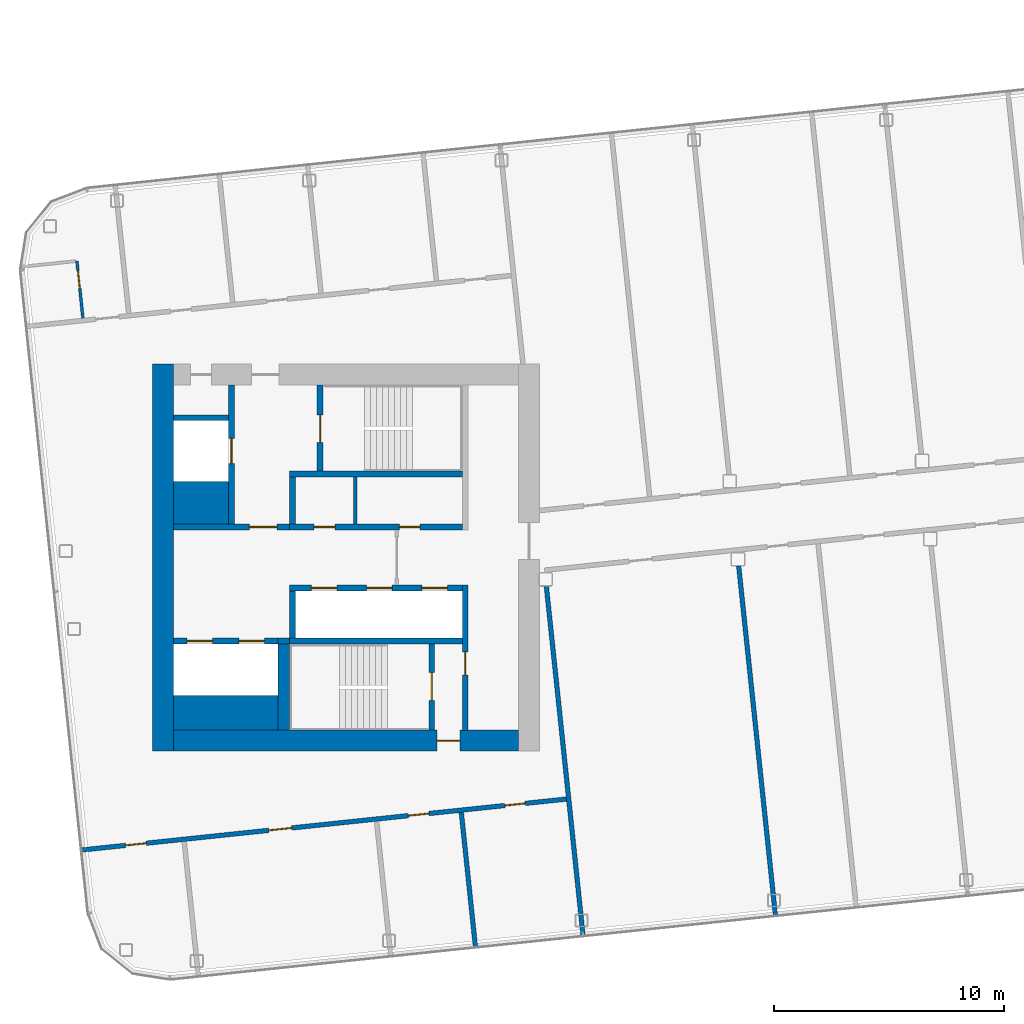
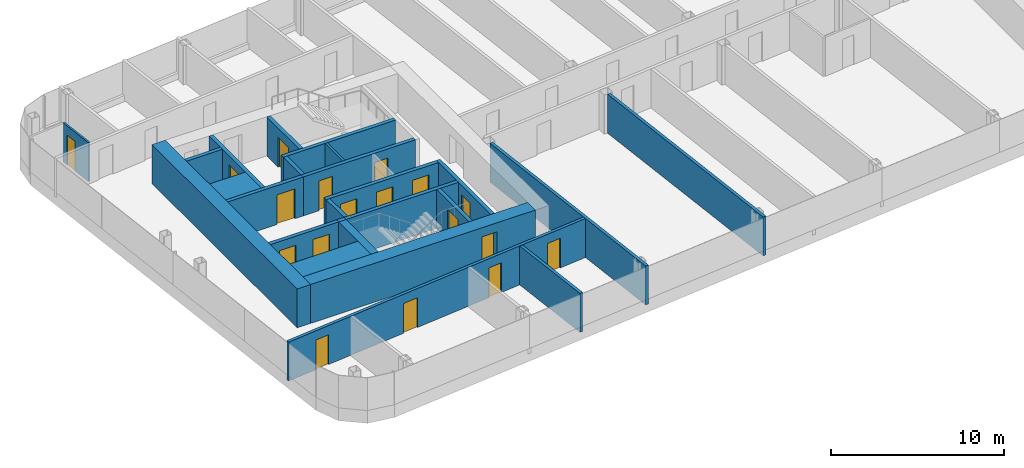
# One storey, part 14 of 26: 25 walls, 18 doors, 18 openings.
"""IFC4 building model written with IfcOpenShell, lengths in metres."""

from ifc_helpers import new_model, si_unit, direction, frame, frame_2d, origin, place, context, subcontext, project, spatial, rectangle, extrude, material, layer, layer_set, type_object, element, fill, save


model = new_model("IFC4")

# Units and contexts
model_context = context("Model", 3, precision=1e-05, world=origin(), true_north=direction((0.0, 1.0)))
body_context = subcontext(model_context, "Body", "Model", "MODEL_VIEW")
ifc_project = project(units=[si_unit("LENGTHUNIT", "METRE"), si_unit("AREAUNIT", "SQUARE_METRE"), si_unit("VOLUMEUNIT", "CUBIC_METRE"), si_unit("PLANEANGLEUNIT", "RADIAN"), si_unit("MASSUNIT", "GRAM", prefix="KILO")], contexts=[model_context])

# Site, building, storey
site_placement = place(None, origin())
site = spatial("IfcSite", under=ifc_project, at=site_placement, CompositionType="ELEMENT")
building_placement = place(site_placement, origin())
building = spatial("IfcBuilding", under=site, at=building_placement, Name="Hakoniwa Tower and Hamabe Station Hall", CompositionType="ELEMENT")
storey_placement = place(building_placement, frame((0.0, 0.0, 251.800048828125)))
storey = spatial("IfcBuildingStorey", under=building, at=storey_placement, Name="L71", CompositionType="ELEMENT", Elevation=251.800048828125)

# Wall, opening, door
ifc_material_1 = material(Name="Gypsum board partition", Category="gypsum")
ifc_layer_1 = layer(ifc_material_1, 0.125)
ifc_layer_set_1 = layer_set([ifc_layer_1], Name="Bathroom Partition 125")
wall_type_1 = type_object("IfcWallType", Name="Bathroom Partition 125", PredefinedType="PARTITIONING", material=ifc_layer_set_1)
wall_1_placement = place(storey_placement, frame((-36.625732421875, 10.39453125, 0.0), z_axis=(0.0, 0.0, 1.0), x_axis=(-0.104588199498, 0.994515615024, 0.0)))
wall_1 = element("IfcWall", 1, at=wall_1_placement, inside=storey, type_object=wall_type_1, Name="GW-L71-010", PredefinedType="PARTITIONING", context=body_context, shape_type="SweptSolid", body=[
    extrude(rectangle(XDim=2.5, YDim=0.125, at=frame_2d((1.25, 0.0))), origin(), (0.0, 0.0, 1.0), 2.75),
])
opening_1_placement = place(wall_1_placement, frame((1.300048828125, 0.0, 0.0)))
opening_1 = element("IfcOpeningElement", 2, at=opening_1_placement, cuts=wall_1, Name="Opening GD-G5A1-28", PredefinedType="OPENING", context=body_context, shape_type="SweptSolid", body=[
    extrude(rectangle(XDim=0.800048828125, YDim=2.10009765625, at=frame_2d((0.39990234375, 1.050048828125))), frame((0.0, 0.072509765625, 0.0), z_axis=(0.0, -1.0, 0.0), x_axis=(1.0, 0.0, 0.0)), (0.0, 0.0, 1.0), 0.14501953125),
])
ifc_material_2 = material(Name="Timber door leaf", Category="wood")
door_type_1 = type_object("IfcDoorType", Name="Bathroom Door 800", OperationType="SINGLE_SWING_LEFT", PredefinedType="DOOR", material=ifc_material_2)
door_1_placement = place(opening_1_placement, origin())
door_1 = element("IfcDoor", 3, at=door_1_placement, inside=storey, type_object=door_type_1, Name="Door GD-G5A1-28", OperationType="SINGLE_SWING_LEFT", OverallHeight=2.10009765625, OverallWidth=0.800048828125, PredefinedType="DOOR", context=body_context, shape_type="SweptSolid", body=[
    extrude(rectangle(XDim=0.800048828125, YDim=2.10009765625, at=frame_2d((0.39990234375, 1.050048828125))), frame((0.0, 0.02490234375, 0.0), z_axis=(0.0, -1.0, 0.0), x_axis=(1.0, 0.0, 0.0)), (0.0, 0.0, 1.0), 0.050048828125),
])
fill(opening_1, door_1)

# Walls
ifc_material_3 = material(Name="Gypsum board partition")
ifc_layer_2 = layer(ifc_material_3, 0.14990234375)
ifc_layer_set_2 = layer_set([ifc_layer_2], Name="CORE PARTITION 150 EI 60")
wall_type_2 = type_object("IfcWallType", Name="CORE PARTITION 150 EI 60", PredefinedType="PARTITIONING", material=ifc_layer_set_2)
wall_2_placement = place(storey_placement, frame((-24.800048828125, 1.449951171875, 0.0), z_axis=(0.0, 0.0, 1.0), x_axis=(0.0, 1.0, 0.0)))
element("IfcWall", 4, at=wall_2_placement, inside=storey, type_object=wall_type_2, Name="Core partition PFLR0 west", PredefinedType="PARTITIONING", context=body_context, shape_type="SweptSolid", body=[
    extrude(rectangle(XDim=2.050048828125, YDim=0.14990234375, at=frame_2d((1.02490234375, 0.0))), origin(), (0.0, 0.0, 1.0), 2.75),
])
ifc_material_4 = material(Name="Concrete C60", Category="concrete")
ifc_layer_3 = layer(ifc_material_4, 0.89990234375)
ifc_layer_set_3 = layer_set([ifc_layer_3], Name="CORE WALL 900 C60")
wall_type_3 = type_object("IfcWallType", Name="CORE WALL 900 C60", PredefinedType="SHEAR", material=ifc_layer_set_3)
wall_3_placement = place(storey_placement, frame((-33.14990234375, -8.39990234375, 0.0), z_axis=(0.0, 0.0, 1.0), x_axis=(0.0, 1.0, 0.0)))
element("IfcWall", 5, at=wall_3_placement, inside=storey, type_object=wall_type_3, Name="Core wall OUTER west", PredefinedType="SHEAR", context=body_context, shape_type="SweptSolid", body=[
    extrude(rectangle(XDim=16.7998046875, YDim=0.89990234375, at=frame_2d((8.39990234375, 0.0))), origin(), (0.0, 0.0, 1.0), 2.75),
])

# Wall, opening, door
wall_4_placement = place(storey_placement, frame((-32.699951171875, -7.949951171875, 0.0), z_axis=(0.0, 0.0, 1.0), x_axis=(1.0, 0.0, 0.0)))
wall_4 = element("IfcWall", 6, at=wall_4_placement, inside=storey, type_object=wall_type_3, Name="Core wall SOUTH west", PredefinedType="SHEAR", context=body_context, shape_type="SweptSolid", body=[
    extrude(rectangle(XDim=15.0, YDim=0.89990234375, at=frame_2d((7.5, 0.0))), origin(), (0.0, 0.0, 1.0), 2.75),
])
opening_2_placement = place(wall_4_placement, frame((11.449951171875, 0.0, 0.0)))
opening_2 = element("IfcOpeningElement", 7, at=opening_2_placement, cuts=wall_4, Name="Opening CD-W-FS3-10", PredefinedType="OPENING", context=body_context, shape_type="SweptSolid", body=[
    extrude(rectangle(XDim=1.0, YDim=2.10009765625, at=frame_2d((0.5, 1.050048828125))), frame((0.0, 0.4599609375, 0.0), z_axis=(0.0, -1.0, 0.0), x_axis=(1.0, 0.0, 0.0)), (0.0, 0.0, 1.0), 0.919921875),
])
ifc_material_5 = material(Name="Steel fire door", Category="steel")
door_type_2 = type_object("IfcDoorType", Name="CORE DOOR 1000 FD60", OperationType="NOTDEFINED", PredefinedType="DOOR", material=ifc_material_5)
door_2_placement = place(opening_2_placement, origin())
door_2 = element("IfcDoor", 8, at=door_2_placement, inside=storey, type_object=door_type_2, Name="Stair vestibule door", OperationType="SINGLE_SWING_RIGHT", OverallHeight=2.10009765625, OverallWidth=1.0, PredefinedType="DOOR", context=body_context, shape_type="SweptSolid", body=[
    extrude(rectangle(XDim=1.0, YDim=2.10009765625, at=frame_2d((0.5, 1.050048828125))), frame((0.0, 0.02490234375, 0.0), z_axis=(0.0, -1.0, 0.0), x_axis=(1.0, 0.0, 0.0)), (0.0, 0.0, 1.0), 0.050048828125),
])
fill(opening_2, door_2)

# Walls
ifc_material_6 = material(Name="Concrete C60", Category="concrete")
ifc_layer_4 = layer(ifc_material_6, 1.5)
ifc_layer_set_4 = layer_set([ifc_layer_4], Name="CORE WEB WALL 1500 C60")
wall_type_4 = type_object("IfcWallType", Name="CORE WEB WALL 1500 C60", PredefinedType="SHEAR", material=ifc_layer_set_4)
wall_5_placement = place(storey_placement, frame((-32.699951171875, -6.75, 0.0), z_axis=(0.0, 0.0, 1.0), x_axis=(1.0, 0.0, 0.0)))
element("IfcWall", 9, at=wall_5_placement, inside=storey, type_object=wall_type_4, Name="Core wall SER west", PredefinedType="SHEAR", context=body_context, shape_type="SweptSolid", body=[
    extrude(rectangle(XDim=4.550048828125, YDim=1.5, at=frame_2d((2.27490234375, 0.0))), origin(), (0.0, 0.0, 1.0), 2.75),
])
ifc_material_7 = material(Name="Concrete C60", Category="concrete")
ifc_layer_5 = layer(ifc_material_7, 1.85009765625)
ifc_layer_set_5 = layer_set([ifc_layer_5], Name="CORE WEB WALL 1850 C60")
wall_type_5 = type_object("IfcWallType", Name="CORE WEB WALL 1850 C60", PredefinedType="SHEAR", material=ifc_layer_set_5)
wall_6_placement = place(storey_placement, frame((-32.699951171875, 2.375, 0.0), z_axis=(0.0, 0.0, 1.0), x_axis=(1.0, 0.0, 0.0)))
element("IfcWall", 10, at=wall_6_placement, inside=storey, type_object=wall_type_5, Name="Core wall CA west", PredefinedType="SHEAR", context=body_context, shape_type="SweptSolid", body=[
    extrude(rectangle(XDim=2.39990234375, YDim=1.85009765625, at=frame_2d((1.199951171875, 0.0))), origin(), (0.0, 0.0, 1.0), 2.75),
])

# Wall, opening, door
ifc_material_8 = material(Name="Concrete C60", Category="concrete")
ifc_layer_6 = layer(ifc_material_8, 0.25)
ifc_layer_set_6 = layer_set([ifc_layer_6], Name="CORE WEB WALL 250 C60")
wall_type_6 = type_object("IfcWallType", Name="CORE WEB WALL 250 C60", PredefinedType="SHEAR", material=ifc_layer_set_6)
wall_7_placement = place(storey_placement, frame((-20.02490234375, -7.5, 0.0), z_axis=(0.0, 0.0, 1.0), x_axis=(0.0, 1.0, 0.0)))
wall_7 = element("IfcWall", 11, at=wall_7_placement, inside=storey, type_object=wall_type_6, Name="Core wall W1S west", PredefinedType="SHEAR", context=body_context, shape_type="SweptSolid", body=[
    extrude(rectangle(XDim=6.300048828125, YDim=0.25, at=frame_2d((3.14990234375, 0.0))), origin(), (0.0, 0.0, 1.0), 2.75),
])
opening_3_placement = place(wall_7_placement, frame((2.39990234375, 0.0, 0.0)))
opening_3 = element("IfcOpeningElement", 12, at=opening_3_placement, cuts=wall_7, Name="Opening CD-W-VS-10", PredefinedType="OPENING", context=body_context, shape_type="SweptSolid", body=[
    extrude(rectangle(XDim=1.0, YDim=2.10009765625, at=frame_2d((0.5, 1.050048828125))), frame((0.0, 0.135009765625, 0.0), z_axis=(0.0, -1.0, 0.0), x_axis=(1.0, 0.0, 0.0)), (0.0, 0.0, 1.0), 0.27001953125),
])
door_3_placement = place(opening_3_placement, origin())
door_3 = element("IfcDoor", 13, at=door_3_placement, inside=storey, type_object=door_type_2, Name="Stair vestibule door", OperationType="SINGLE_SWING_LEFT", OverallHeight=2.10009765625, OverallWidth=1.0, PredefinedType="DOOR", context=body_context, shape_type="SweptSolid", body=[
    extrude(rectangle(XDim=1.0, YDim=2.10009765625, at=frame_2d((0.5, 1.050048828125))), frame((0.0, 0.02490234375, 0.0), z_axis=(0.0, -1.0, 0.0), x_axis=(1.0, 0.0, 0.0)), (0.0, 0.0, 1.0), 0.050048828125),
])
fill(opening_3, door_3)

# Wall, openings, doors
wall_8_placement = place(storey_placement, frame((-27.64990234375, 1.324951171875, 0.0), z_axis=(0.0, 0.0, 1.0), x_axis=(1.0, 0.0, 0.0)))
wall_8 = element("IfcWall", 14, at=wall_8_placement, inside=storey, type_object=wall_type_6, Name="Core wall NF west", PredefinedType="SHEAR", context=body_context, shape_type="SweptSolid", body=[
    extrude(rectangle(XDim=7.5, YDim=0.25, at=frame_2d((3.75, 0.0))), origin(), (0.0, 0.0, 1.0), 2.75),
])
opening_4_placement = place(wall_8_placement, frame((4.762451171875, 0.0, 0.0)))
opening_4 = element("IfcOpeningElement", 15, at=opening_4_placement, cuts=wall_8, Name="Opening CD-W-FRLR0-9", PredefinedType="OPENING", context=body_context, shape_type="SweptSolid", body=[
    extrude(rectangle(XDim=0.89990234375, YDim=2.10009765625, at=frame_2d((0.449951171875, 1.050048828125))), frame((0.0, 0.135009765625, 0.0), z_axis=(0.0, -1.0, 0.0), x_axis=(1.0, 0.0, 0.0)), (0.0, 0.0, 1.0), 0.27001953125),
])
opening_5_placement = place(wall_8_placement, frame((1.0625, 0.0, 0.0)))
opening_5 = element("IfcOpeningElement", 16, at=opening_5_placement, cuts=wall_8, Name="Opening CD-W-FRLR1-9", PredefinedType="OPENING", context=body_context, shape_type="SweptSolid", body=[
    extrude(rectangle(XDim=0.89990234375, YDim=2.10009765625, at=frame_2d((0.449951171875, 1.050048828125))), frame((0.0, 0.135009765625, 0.0), z_axis=(0.0, -1.0, 0.0), x_axis=(1.0, 0.0, 0.0)), (0.0, 0.0, 1.0), 0.27001953125),
])
ifc_material_9 = material(Name="Steel fire door", Category="steel")
door_type_3 = type_object("IfcDoorType", Name="CORE DOOR 900 FD30", OperationType="NOTDEFINED", PredefinedType="DOOR", material=ifc_material_9)
door_4_placement = place(opening_4_placement, origin())
door_4 = element("IfcDoor", 17, at=door_4_placement, inside=storey, type_object=door_type_3, Name="Store room door", OperationType="SINGLE_SWING_LEFT", OverallHeight=2.10009765625, OverallWidth=0.89990234375, PredefinedType="DOOR", context=body_context, shape_type="SweptSolid", body=[
    extrude(rectangle(XDim=0.89990234375, YDim=2.10009765625, at=frame_2d((0.449951171875, 1.050048828125))), frame((0.0, 0.02490234375, 0.0), z_axis=(0.0, -1.0, 0.0), x_axis=(1.0, 0.0, 0.0)), (0.0, 0.0, 1.0), 0.050048828125),
])
fill(opening_4, door_4)
door_5_placement = place(opening_5_placement, origin())
door_5 = element("IfcDoor", 18, at=door_5_placement, inside=storey, type_object=door_type_3, Name="Store room door", OperationType="SINGLE_SWING_RIGHT", OverallHeight=2.10009765625, OverallWidth=0.89990234375, PredefinedType="DOOR", context=body_context, shape_type="SweptSolid", body=[
    extrude(rectangle(XDim=0.89990234375, YDim=2.10009765625, at=frame_2d((0.449951171875, 1.050048828125))), frame((0.0, 0.02490234375, 0.0), z_axis=(0.0, -1.0, 0.0), x_axis=(1.0, 0.0, 0.0)), (0.0, 0.0, 1.0), 0.050048828125),
])
fill(opening_5, door_5)

# Walls
wall_9_placement = place(storey_placement, frame((-27.52490234375, 1.449951171875, 0.0), z_axis=(0.0, 0.0, 1.0), x_axis=(0.0, 1.0, 0.0)))
element("IfcWall", 19, at=wall_9_placement, inside=storey, type_object=wall_type_6, Name="Core wall NE west", PredefinedType="SHEAR", context=body_context, shape_type="SweptSolid", body=[
    extrude(rectangle(XDim=2.050048828125, YDim=0.25, at=frame_2d((1.02490234375, 0.0))), origin(), (0.0, 0.0, 1.0), 2.75),
])
wall_10_placement = place(storey_placement, frame((-27.64990234375, 3.625, 0.0), z_axis=(0.0, 0.0, 1.0), x_axis=(1.0, 0.0, 0.0)))
element("IfcWall", 20, at=wall_10_placement, inside=storey, type_object=wall_type_6, Name="Core wall NR west", PredefinedType="SHEAR", context=body_context, shape_type="SweptSolid", body=[
    extrude(rectangle(XDim=7.5, YDim=0.25, at=frame_2d((3.75, 0.0))), origin(), (0.0, 0.0, 1.0), 2.75),
])

# Wall, opening, door
wall_11_placement = place(storey_placement, frame((-26.324951171875, 3.75, 0.0), z_axis=(0.0, 0.0, 1.0), x_axis=(0.0, 1.0, 0.0)))
wall_11 = element("IfcWall", 21, at=wall_11_placement, inside=storey, type_object=wall_type_6, Name="Core wall NSE west", PredefinedType="SHEAR", context=body_context, shape_type="SweptSolid", body=[
    extrude(rectangle(XDim=3.75, YDim=0.25, at=frame_2d((1.875, 0.0))), origin(), (0.0, 0.0, 1.0), 2.75),
])
opening_6_placement = place(wall_11_placement, frame((1.25, 0.0, 0.0)))
opening_6 = element("IfcOpeningElement", 22, at=opening_6_placement, cuts=wall_11, Name="Opening CD-W-SN-12", PredefinedType="OPENING", context=body_context, shape_type="SweptSolid", body=[
    extrude(rectangle(XDim=1.199951171875, YDim=2.10009765625, at=frame_2d((0.60009765625, 1.050048828125))), frame((0.0, 0.135009765625, 0.0), z_axis=(0.0, -1.0, 0.0), x_axis=(1.0, 0.0, 0.0)), (0.0, 0.0, 1.0), 0.27001953125),
])
ifc_material_10 = material(Name="Steel fire door", Category="steel")
door_type_4 = type_object("IfcDoorType", Name="CORE DOOR 1200 FD60", OperationType="DOUBLE_DOOR_SINGLE_SWING", PredefinedType="DOOR", material=ifc_material_10)
door_6_placement = place(opening_6_placement, origin())
door_6 = element("IfcDoor", 23, at=door_6_placement, inside=storey, type_object=door_type_4, Name="Escape stair door", OperationType="DOUBLE_DOOR_SINGLE_SWING", OverallHeight=2.10009765625, OverallWidth=1.199951171875, PredefinedType="DOOR", context=body_context, shape_type="SweptSolid", body=[
    extrude(rectangle(XDim=1.199951171875, YDim=2.10009765625, at=frame_2d((0.60009765625, 1.050048828125))), frame((0.0, 0.02490234375, 0.0), z_axis=(0.0, -1.0, 0.0), x_axis=(1.0, 0.0, 0.0)), (0.0, 0.0, 1.0), 0.050048828125),
])
fill(opening_6, door_6)

wall_12_placement = place(storey_placement, frame((-32.699951171875, 1.324951171875, 0.0), z_axis=(0.0, 0.0, 1.0), x_axis=(1.0, 0.0, 0.0)))
wall_12 = element("IfcWall", 24, at=wall_12_placement, inside=storey, type_object=wall_type_6, Name="Core wall ELN west", PredefinedType="SHEAR", context=body_context, shape_type="SweptSolid", body=[
    extrude(rectangle(XDim=5.050048828125, YDim=0.25, at=frame_2d((2.52490234375, 0.0))), origin(), (0.0, 0.0, 1.0), 2.75),
])
opening_7_placement = place(wall_12_placement, frame((3.300048828125, 0.0, 0.0)))
opening_7 = element("IfcOpeningElement", 25, at=opening_7_placement, cuts=wall_12, Name="Opening CD-W-FL-12", PredefinedType="OPENING", context=body_context, shape_type="SweptSolid", body=[
    extrude(rectangle(XDim=1.199951171875, YDim=2.10009765625, at=frame_2d((0.60009765625, 1.050048828125))), frame((0.0, 0.135009765625, 0.0), z_axis=(0.0, -1.0, 0.0), x_axis=(1.0, 0.0, 0.0)), (0.0, 0.0, 1.0), 0.27001953125),
])
door_7_placement = place(opening_7_placement, origin())
door_7 = element("IfcDoor", 26, at=door_7_placement, inside=storey, type_object=door_type_4, Name="Stair vestibule door to the fire-fighting lobby", OperationType="DOUBLE_DOOR_SINGLE_SWING", OverallHeight=2.10009765625, OverallWidth=1.199951171875, PredefinedType="DOOR", context=body_context, shape_type="SweptSolid", body=[
    extrude(rectangle(XDim=1.199951171875, YDim=2.10009765625, at=frame_2d((0.60009765625, 1.050048828125))), frame((0.0, 0.02490234375, 0.0), z_axis=(0.0, -1.0, 0.0), x_axis=(1.0, 0.0, 0.0)), (0.0, 0.0, 1.0), 0.050048828125),
])
fill(opening_7, door_7)

wall_13_placement = place(storey_placement, frame((-30.175048828125, 1.449951171875, 0.0), z_axis=(0.0, 0.0, 1.0), x_axis=(0.0, 1.0, 0.0)))
wall_13 = element("IfcWall", 27, at=wall_13_placement, inside=storey, type_object=wall_type_6, Name="Core wall FFF west", PredefinedType="SHEAR", context=body_context, shape_type="SweptSolid", body=[
    extrude(rectangle(XDim=6.050048828125, YDim=0.25, at=frame_2d((3.02490234375, 0.0))), origin(), (0.0, 0.0, 1.0), 2.75),
])
opening_8_placement = place(wall_13_placement, frame((2.625, 0.0, 0.0)))
opening_8 = element("IfcOpeningElement", 28, at=opening_8_placement, cuts=wall_13, Name="Opening LD-FF1", PredefinedType="OPENING", context=body_context, shape_type="SweptSolid", body=[
    extrude(rectangle(XDim=1.10009765625, YDim=2.10009765625, at=frame_2d((0.550048828125, 1.050048828125))), frame((0.0, 0.135009765625, 0.0), z_axis=(0.0, -1.0, 0.0), x_axis=(1.0, 0.0, 0.0)), (0.0, 0.0, 1.0), 0.27001953125),
])
ifc_material_11 = material(Name="Stainless steel SUS304", Category="steel")
door_type_5 = type_object("IfcDoorType", Name="LIFT LANDING DOOR 1100 FD60", OperationType="DOUBLE_DOOR_SLIDING", PredefinedType="DOOR", material=ifc_material_11)
door_8_placement = place(opening_8_placement, origin())
door_8 = element("IfcDoor", 29, at=door_8_placement, inside=storey, type_object=door_type_5, Name="Lift landing door FF1 L71", OperationType="DOUBLE_DOOR_SLIDING", OverallHeight=2.10009765625, OverallWidth=1.10009765625, PredefinedType="DOOR", context=body_context, shape_type="SweptSolid", body=[
    extrude(rectangle(XDim=1.10009765625, YDim=2.10009765625, at=frame_2d((0.550048828125, 1.050048828125))), frame((0.0, 0.02490234375, 0.0), z_axis=(0.0, -1.0, 0.0), x_axis=(1.0, 0.0, 0.0)), (0.0, 0.0, 1.0), 0.050048828125),
])
fill(opening_8, door_8)

# Wall
wall_14_placement = place(storey_placement, frame((-32.699951171875, 6.074951171875, 0.0), z_axis=(0.0, 0.0, 1.0), x_axis=(1.0, 0.0, 0.0)))
element("IfcWall", 30, at=wall_14_placement, inside=storey, type_object=wall_type_6, Name="Core wall C2 west", PredefinedType="SHEAR", context=body_context, shape_type="SweptSolid", body=[
    extrude(rectangle(XDim=2.39990234375, YDim=0.25, at=frame_2d((1.199951171875, 0.0))), origin(), (0.0, 0.0, 1.0), 2.75),
])

# Wall, openings, doors
wall_15_placement = place(storey_placement, frame((-27.64990234375, -1.324951171875, 0.0), z_axis=(0.0, 0.0, 1.0), x_axis=(1.0, 0.0, 0.0)))
wall_15 = element("IfcWall", 31, at=wall_15_placement, inside=storey, type_object=wall_type_6, Name="Core wall SF west", PredefinedType="SHEAR", context=body_context, shape_type="SweptSolid", body=[
    extrude(rectangle(XDim=7.5, YDim=0.25, at=frame_2d((3.75, 0.0))), origin(), (0.0, 0.0, 1.0), 2.75),
])
opening_9_placement = place(wall_15_placement, frame((5.75, 0.0, 0.0)))
opening_9 = element("IfcOpeningElement", 32, at=opening_9_placement, cuts=wall_15, Name="Opening LD-HR1", PredefinedType="OPENING", context=body_context, shape_type="SweptSolid", body=[
    extrude(rectangle(XDim=1.10009765625, YDim=2.10009765625, at=frame_2d((0.550048828125, 1.050048828125))), frame((0.0, 0.135009765625, 0.0), z_axis=(0.0, -1.0, 0.0), x_axis=(1.0, 0.0, 0.0)), (0.0, 0.0, 1.0), 0.27001953125),
])
opening_10_placement = place(wall_15_placement, frame((3.35009765625, 0.0, 0.0)))
opening_10 = element("IfcOpeningElement", 33, at=opening_10_placement, cuts=wall_15, Name="Opening LD-HR2", PredefinedType="OPENING", context=body_context, shape_type="SweptSolid", body=[
    extrude(rectangle(XDim=1.10009765625, YDim=2.10009765625, at=frame_2d((0.550048828125, 1.050048828125))), frame((0.0, 0.135009765625, 0.0), z_axis=(0.0, -1.0, 0.0), x_axis=(1.0, 0.0, 0.0)), (0.0, 0.0, 1.0), 0.27001953125),
])
opening_11_placement = place(wall_15_placement, frame((0.949951171875, 0.0, 0.0)))
opening_11 = element("IfcOpeningElement", 34, at=opening_11_placement, cuts=wall_15, Name="Opening LD-HR3", PredefinedType="OPENING", context=body_context, shape_type="SweptSolid", body=[
    extrude(rectangle(XDim=1.10009765625, YDim=2.10009765625, at=frame_2d((0.550048828125, 1.050048828125))), frame((0.0, 0.135009765625, 0.0), z_axis=(0.0, -1.0, 0.0), x_axis=(1.0, 0.0, 0.0)), (0.0, 0.0, 1.0), 0.27001953125),
])
door_9_placement = place(opening_9_placement, origin())
door_9 = element("IfcDoor", 35, at=door_9_placement, inside=storey, type_object=door_type_5, Name="Lift landing door HR1 L71", OperationType="DOUBLE_DOOR_SLIDING", OverallHeight=2.10009765625, OverallWidth=1.10009765625, PredefinedType="DOOR", context=body_context, shape_type="SweptSolid", body=[
    extrude(rectangle(XDim=1.10009765625, YDim=2.10009765625, at=frame_2d((0.550048828125, 1.050048828125))), frame((0.0, 0.02490234375, 0.0), z_axis=(0.0, -1.0, 0.0), x_axis=(1.0, 0.0, 0.0)), (0.0, 0.0, 1.0), 0.050048828125),
])
fill(opening_9, door_9)
door_10_placement = place(opening_10_placement, origin())
door_10 = element("IfcDoor", 36, at=door_10_placement, inside=storey, type_object=door_type_5, Name="Lift landing door HR2 L71", OperationType="DOUBLE_DOOR_SLIDING", OverallHeight=2.10009765625, OverallWidth=1.10009765625, PredefinedType="DOOR", context=body_context, shape_type="SweptSolid", body=[
    extrude(rectangle(XDim=1.10009765625, YDim=2.10009765625, at=frame_2d((0.550048828125, 1.050048828125))), frame((0.0, 0.02490234375, 0.0), z_axis=(0.0, -1.0, 0.0), x_axis=(1.0, 0.0, 0.0)), (0.0, 0.0, 1.0), 0.050048828125),
])
fill(opening_10, door_10)
door_11_placement = place(opening_11_placement, origin())
door_11 = element("IfcDoor", 37, at=door_11_placement, inside=storey, type_object=door_type_5, Name="Lift landing door HR3 L71", OperationType="DOUBLE_DOOR_SLIDING", OverallHeight=2.10009765625, OverallWidth=1.10009765625, PredefinedType="DOOR", context=body_context, shape_type="SweptSolid", body=[
    extrude(rectangle(XDim=1.10009765625, YDim=2.10009765625, at=frame_2d((0.550048828125, 1.050048828125))), frame((0.0, 0.02490234375, 0.0), z_axis=(0.0, -1.0, 0.0), x_axis=(1.0, 0.0, 0.0)), (0.0, 0.0, 1.0), 0.050048828125),
])
fill(opening_11, door_11)

# Walls
wall_16_placement = place(storey_placement, frame((-27.52490234375, -3.5, 0.0), z_axis=(0.0, 0.0, 1.0), x_axis=(0.0, 1.0, 0.0)))
element("IfcWall", 38, at=wall_16_placement, inside=storey, type_object=wall_type_6, Name="Core wall SE west", PredefinedType="SHEAR", context=body_context, shape_type="SweptSolid", body=[
    extrude(rectangle(XDim=2.050048828125, YDim=0.25, at=frame_2d((1.02490234375, 0.0))), origin(), (0.0, 0.0, 1.0), 2.75),
])
wall_17_placement = place(storey_placement, frame((-27.64990234375, -3.625, 0.0), z_axis=(0.0, 0.0, 1.0), x_axis=(1.0, 0.0, 0.0)))
element("IfcWall", 39, at=wall_17_placement, inside=storey, type_object=wall_type_6, Name="Core wall SR west", PredefinedType="SHEAR", context=body_context, shape_type="SweptSolid", body=[
    extrude(rectangle(XDim=7.5, YDim=0.25, at=frame_2d((3.75, 0.0))), origin(), (0.0, 0.0, 1.0), 2.75),
])

# Wall, opening, door
wall_18_placement = place(storey_placement, frame((-21.47509765625, -7.5, 0.0), z_axis=(0.0, 0.0, 1.0), x_axis=(0.0, 1.0, 0.0)))
wall_18 = element("IfcWall", 40, at=wall_18_placement, inside=storey, type_object=wall_type_6, Name="Core wall VE west", PredefinedType="SHEAR", context=body_context, shape_type="SweptSolid", body=[
    extrude(rectangle(XDim=3.75, YDim=0.25, at=frame_2d((1.875, 0.0))), origin(), (0.0, 0.0, 1.0), 2.75),
])
opening_12_placement = place(wall_18_placement, frame((1.300048828125, 0.0, 0.0)))
opening_12 = element("IfcOpeningElement", 41, at=opening_12_placement, cuts=wall_18, Name="Opening CD-W-SS-12", PredefinedType="OPENING", context=body_context, shape_type="SweptSolid", body=[
    extrude(rectangle(XDim=1.199951171875, YDim=2.10009765625, at=frame_2d((0.60009765625, 1.050048828125))), frame((0.0, 0.135009765625, 0.0), z_axis=(0.0, -1.0, 0.0), x_axis=(1.0, 0.0, 0.0)), (0.0, 0.0, 1.0), 0.27001953125),
])
door_12_placement = place(opening_12_placement, origin())
door_12 = element("IfcDoor", 42, at=door_12_placement, inside=storey, type_object=door_type_4, Name="Escape stair door", OperationType="DOUBLE_DOOR_SINGLE_SWING", OverallHeight=2.10009765625, OverallWidth=1.199951171875, PredefinedType="DOOR", context=body_context, shape_type="SweptSolid", body=[
    extrude(rectangle(XDim=1.199951171875, YDim=2.10009765625, at=frame_2d((0.60009765625, 1.050048828125))), frame((0.0, 0.02490234375, 0.0), z_axis=(0.0, -1.0, 0.0), x_axis=(1.0, 0.0, 0.0)), (0.0, 0.0, 1.0), 0.050048828125),
])
fill(opening_12, door_12)

# Wall, openings, doors
wall_19_placement = place(storey_placement, frame((-32.699951171875, -3.625, 0.0), z_axis=(0.0, 0.0, 1.0), x_axis=(1.0, 0.0, 0.0)))
wall_19 = element("IfcWall", 43, at=wall_19_placement, inside=storey, type_object=wall_type_6, Name="Core wall SEF west", PredefinedType="SHEAR", context=body_context, shape_type="SweptSolid", body=[
    extrude(rectangle(XDim=4.550048828125, YDim=0.25, at=frame_2d((2.27490234375, 0.0))), origin(), (0.0, 0.0, 1.0), 2.75),
])
opening_13_placement = place(wall_19_placement, frame((2.85009765625, 0.0, 0.0)))
opening_13 = element("IfcOpeningElement", 44, at=opening_13_placement, cuts=wall_19, Name="Opening LD-SV1", PredefinedType="OPENING", context=body_context, shape_type="SweptSolid", body=[
    extrude(rectangle(XDim=1.10009765625, YDim=2.10009765625, at=frame_2d((0.550048828125, 1.050048828125))), frame((0.0, 0.135009765625, 0.0), z_axis=(0.0, -1.0, 0.0), x_axis=(1.0, 0.0, 0.0)), (0.0, 0.0, 1.0), 0.27001953125),
])
opening_14_placement = place(wall_19_placement, frame((0.60009765625, 0.0, 0.0)))
opening_14 = element("IfcOpeningElement", 45, at=opening_14_placement, cuts=wall_19, Name="Opening LD-SV2", PredefinedType="OPENING", context=body_context, shape_type="SweptSolid", body=[
    extrude(rectangle(XDim=1.10009765625, YDim=2.10009765625, at=frame_2d((0.550048828125, 1.050048828125))), frame((0.0, 0.135009765625, 0.0), z_axis=(0.0, -1.0, 0.0), x_axis=(1.0, 0.0, 0.0)), (0.0, 0.0, 1.0), 0.27001953125),
])
door_13_placement = place(opening_13_placement, origin())
door_13 = element("IfcDoor", 46, at=door_13_placement, inside=storey, type_object=door_type_5, Name="Lift landing door SV1 L71", OperationType="DOUBLE_DOOR_SLIDING", OverallHeight=2.10009765625, OverallWidth=1.10009765625, PredefinedType="DOOR", context=body_context, shape_type="SweptSolid", body=[
    extrude(rectangle(XDim=1.10009765625, YDim=2.10009765625, at=frame_2d((0.550048828125, 1.050048828125))), frame((0.0, 0.02490234375, 0.0), z_axis=(0.0, -1.0, 0.0), x_axis=(1.0, 0.0, 0.0)), (0.0, 0.0, 1.0), 0.050048828125),
])
fill(opening_13, door_13)
door_14_placement = place(opening_14_placement, origin())
door_14 = element("IfcDoor", 47, at=door_14_placement, inside=storey, type_object=door_type_5, Name="Lift landing door SV2 L71", OperationType="DOUBLE_DOOR_SLIDING", OverallHeight=2.10009765625, OverallWidth=1.10009765625, PredefinedType="DOOR", context=body_context, shape_type="SweptSolid", body=[
    extrude(rectangle(XDim=1.10009765625, YDim=2.10009765625, at=frame_2d((0.550048828125, 1.050048828125))), frame((0.0, 0.02490234375, 0.0), z_axis=(0.0, -1.0, 0.0), x_axis=(1.0, 0.0, 0.0)), (0.0, 0.0, 1.0), 0.050048828125),
])
fill(opening_14, door_14)

# Walls
wall_20_placement = place(storey_placement, frame((-28.14990234375, -3.625, 0.0), z_axis=(0.0, 0.0, 1.0), x_axis=(1.0, 0.0, 0.0)))
element("IfcWall", 48, at=wall_20_placement, inside=storey, type_object=wall_type_6, Name="Core wall SRK west", PredefinedType="SHEAR", context=body_context, shape_type="SweptSolid", body=[
    extrude(rectangle(XDim=0.5, YDim=0.25, at=frame_2d((0.25, 0.0))), origin(), (0.0, 0.0, 1.0), 2.75),
])
ifc_material_12 = material(Name="Concrete C60", Category="concrete")
ifc_layer_7 = layer(ifc_material_12, 0.5)
ifc_layer_set_7 = layer_set([ifc_layer_7], Name="CORE WEB WALL 500 C60")
wall_type_7 = type_object("IfcWallType", Name="CORE WEB WALL 500 C60", PredefinedType="SHEAR", material=ifc_layer_set_7)
wall_21_placement = place(storey_placement, frame((-27.89990234375, -7.5, 0.0), z_axis=(0.0, 0.0, 1.0), x_axis=(0.0, 1.0, 0.0)))
element("IfcWall", 49, at=wall_21_placement, inside=storey, type_object=wall_type_7, Name="Core wall SSE west", PredefinedType="SHEAR", context=body_context, shape_type="SweptSolid", body=[
    extrude(rectangle(XDim=3.75, YDim=0.5, at=frame_2d((1.875, 0.0))), origin(), (0.0, 0.0, 1.0), 2.75),
])

# Wall, openings, doors
ifc_material_13 = material(Name="Fire-rated gypsum board partition", Category="gypsum")
ifc_layer_8 = layer(ifc_material_13, 0.199951171875)
ifc_layer_set_8 = layer_set([ifc_layer_8], Name="Corridor Wall 200")
wall_type_8 = type_object("IfcWallType", Name="Corridor Wall 200", PredefinedType="PARTITIONING", material=ifc_layer_set_8)
wall_22_placement = place(storey_placement, frame((-36.711669921875, -12.704833984375, 0.0), z_axis=(0.0, 0.0, 1.0), x_axis=(0.994522460242, 0.104523088709, 0.0)))
wall_22 = element("IfcWall", 50, at=wall_22_placement, inside=storey, type_object=wall_type_8, Name="GW-L71-002", PredefinedType="PARTITIONING", context=body_context, shape_type="SweptSolid", body=[
    extrude(rectangle(XDim=21.2998046875, YDim=0.199951171875, at=frame_2d((10.64990234375, 0.0))), origin(), (0.0, 0.0, 1.0), 2.75),
])
opening_15_placement = place(wall_22_placement, frame((1.949951171875, 0.0, 0.0)))
opening_15 = element("IfcOpeningElement", 51, at=opening_15_placement, cuts=wall_22, Name="Opening GD-G5A1-01", PredefinedType="OPENING", context=body_context, shape_type="SweptSolid", body=[
    extrude(rectangle(XDim=0.89990234375, YDim=2.10009765625, at=frame_2d((0.449951171875, 1.050048828125))), frame((0.0, 0.10986328125, 0.0), z_axis=(0.0, -1.0, 0.0), x_axis=(1.0, 0.0, 0.0)), (0.0, 0.0, 1.0), 0.219970703125),
])
opening_16_placement = place(wall_22_placement, frame((8.199951171875, 0.0, 0.0)))
opening_16 = element("IfcOpeningElement", 52, at=opening_16_placement, cuts=wall_22, Name="Opening GD-G5A1-02", PredefinedType="OPENING", context=body_context, shape_type="SweptSolid", body=[
    extrude(rectangle(XDim=1.0, YDim=2.10009765625, at=frame_2d((0.5, 1.050048828125))), frame((0.0, 0.10986328125, 0.0), z_axis=(0.0, -1.0, 0.0), x_axis=(1.0, 0.0, 0.0)), (0.0, 0.0, 1.0), 0.219970703125),
])
opening_17_placement = place(wall_22_placement, frame((14.300048828125, 0.0, 0.0)))
opening_17 = element("IfcOpeningElement", 53, at=opening_17_placement, cuts=wall_22, Name="Opening GD-G5A1-03", PredefinedType="OPENING", context=body_context, shape_type="SweptSolid", body=[
    extrude(rectangle(XDim=0.89990234375, YDim=2.10009765625, at=frame_2d((0.449951171875, 1.050048828125))), frame((0.0, 0.10986328125, 0.0), z_axis=(0.0, -1.0, 0.0), x_axis=(1.0, 0.0, 0.0)), (0.0, 0.0, 1.0), 0.219970703125),
])
opening_18_placement = place(wall_22_placement, frame((18.5, 0.0, 0.0)))
opening_18 = element("IfcOpeningElement", 54, at=opening_18_placement, cuts=wall_22, Name="Opening GD-G5A1-04", PredefinedType="OPENING", context=body_context, shape_type="SweptSolid", body=[
    extrude(rectangle(XDim=0.89990234375, YDim=2.10009765625, at=frame_2d((0.449951171875, 1.050048828125))), frame((0.0, 0.10986328125, 0.0), z_axis=(0.0, -1.0, 0.0), x_axis=(1.0, 0.0, 0.0)), (0.0, 0.0, 1.0), 0.219970703125),
])
ifc_material_14 = material(Name="Timber door leaf", Category="wood")
door_type_6 = type_object("IfcDoorType", Name="Guest Entrance Door 1000", OperationType="SINGLE_SWING_LEFT", PredefinedType="DOOR", material=ifc_material_14)
door_15_placement = place(opening_16_placement, origin())
door_15 = element("IfcDoor", 55, at=door_15_placement, inside=storey, type_object=door_type_6, Name="Door GD-G5A1-02", OperationType="SINGLE_SWING_RIGHT", OverallHeight=2.10009765625, OverallWidth=1.0, PredefinedType="DOOR", context=body_context, shape_type="SweptSolid", body=[
    extrude(rectangle(XDim=1.0, YDim=2.10009765625, at=frame_2d((0.5, 1.050048828125))), frame((0.0, 0.02490234375, 0.0), z_axis=(0.0, -1.0, 0.0), x_axis=(1.0, 0.0, 0.0)), (0.0, 0.0, 1.0), 0.050048828125),
])
fill(opening_16, door_15)
ifc_material_15 = material(Name="Timber door leaf", Category="wood")
door_type_7 = type_object("IfcDoorType", Name="Service Door 900", OperationType="SINGLE_SWING_LEFT", PredefinedType="DOOR", material=ifc_material_15)
door_16_placement = place(opening_15_placement, origin())
door_16 = element("IfcDoor", 56, at=door_16_placement, inside=storey, type_object=door_type_7, Name="Door GD-G5A1-01", OperationType="SINGLE_SWING_RIGHT", OverallHeight=2.10009765625, OverallWidth=0.89990234375, PredefinedType="DOOR", context=body_context, shape_type="SweptSolid", body=[
    extrude(rectangle(XDim=0.89990234375, YDim=2.10009765625, at=frame_2d((0.449951171875, 1.050048828125))), frame((0.0, 0.02490234375, 0.0), z_axis=(0.0, -1.0, 0.0), x_axis=(1.0, 0.0, 0.0)), (0.0, 0.0, 1.0), 0.050048828125),
])
fill(opening_15, door_16)
door_17_placement = place(opening_17_placement, origin())
door_17 = element("IfcDoor", 57, at=door_17_placement, inside=storey, type_object=door_type_7, Name="Door GD-G5A1-03", OperationType="SINGLE_SWING_LEFT", OverallHeight=2.10009765625, OverallWidth=0.89990234375, PredefinedType="DOOR", context=body_context, shape_type="SweptSolid", body=[
    extrude(rectangle(XDim=0.89990234375, YDim=2.10009765625, at=frame_2d((0.449951171875, 1.050048828125))), frame((0.0, 0.02490234375, 0.0), z_axis=(0.0, -1.0, 0.0), x_axis=(1.0, 0.0, 0.0)), (0.0, 0.0, 1.0), 0.050048828125),
])
fill(opening_17, door_17)
door_18_placement = place(opening_18_placement, origin())
door_18 = element("IfcDoor", 58, at=door_18_placement, inside=storey, type_object=door_type_7, Name="Door GD-G5A1-04", OperationType="SINGLE_SWING_RIGHT", OverallHeight=2.10009765625, OverallWidth=0.89990234375, PredefinedType="DOOR", context=body_context, shape_type="SweptSolid", body=[
    extrude(rectangle(XDim=0.89990234375, YDim=2.10009765625, at=frame_2d((0.449951171875, 1.050048828125))), frame((0.0, 0.02490234375, 0.0), z_axis=(0.0, -1.0, 0.0), x_axis=(1.0, 0.0, 0.0)), (0.0, 0.0, 1.0), 0.050048828125),
])
fill(opening_18, door_18)

# Walls
ifc_material_16 = material(Name="Fire-rated gypsum board partition", Category="gypsum")
ifc_layer_9 = layer(ifc_material_16, 0.199951171875)
ifc_layer_set_9 = layer_set([ifc_layer_9], Name="Party Wall 200")
wall_type_9 = type_object("IfcWallType", Name="Party Wall 200", PredefinedType="PARTITIONING", material=ifc_layer_set_9)
wall_23_placement = place(storey_placement, frame((-19.573974609375, -16.95263671875, 0.0), z_axis=(0.0, 0.0, 1.0), x_axis=(-0.104491443182, 0.994525785639, 0.0)))
element("IfcWall", 59, at=wall_23_placement, inside=storey, type_object=wall_type_9, Name="GW-L71-016", PredefinedType="PARTITIONING", context=body_context, shape_type="SweptSolid", body=[
    extrude(rectangle(XDim=5.916015625, YDim=0.199951171875, at=frame_2d((2.9580078125, 0.0))), origin(), (0.0, 0.0, 1.0), 2.75),
])
for number, where, z_axis, x_axis, name in (
    (60, (-14.899658203125, -16.46142578125, 0.0), (0.0, 0.0, 1.0), (-0.104523729364, 0.99452239291, 0.0), "GW-L71-018"),
    (61, (-6.545654296875, -15.583251953125, 0.0), (0.0, 0.0, 1.0), (-0.104523729364, 0.99452239291, 0.0), "GW-L71-021"),
):
    element("IfcWall", number, at=place(storey_placement, frame(where, z_axis=z_axis, x_axis=x_axis)), inside=storey, type_object=wall_type_9, Name=name, PredefinedType="PARTITIONING", context=body_context, shape_type="SweptSolid", body=[
        extrude(rectangle(XDim=15.308349609375, YDim=0.199951171875, at=frame_2d((7.654296875, 0.0))), origin(), (0.0, 0.0, 1.0), 2.75),
    ])

save(model, "model.ifc")
